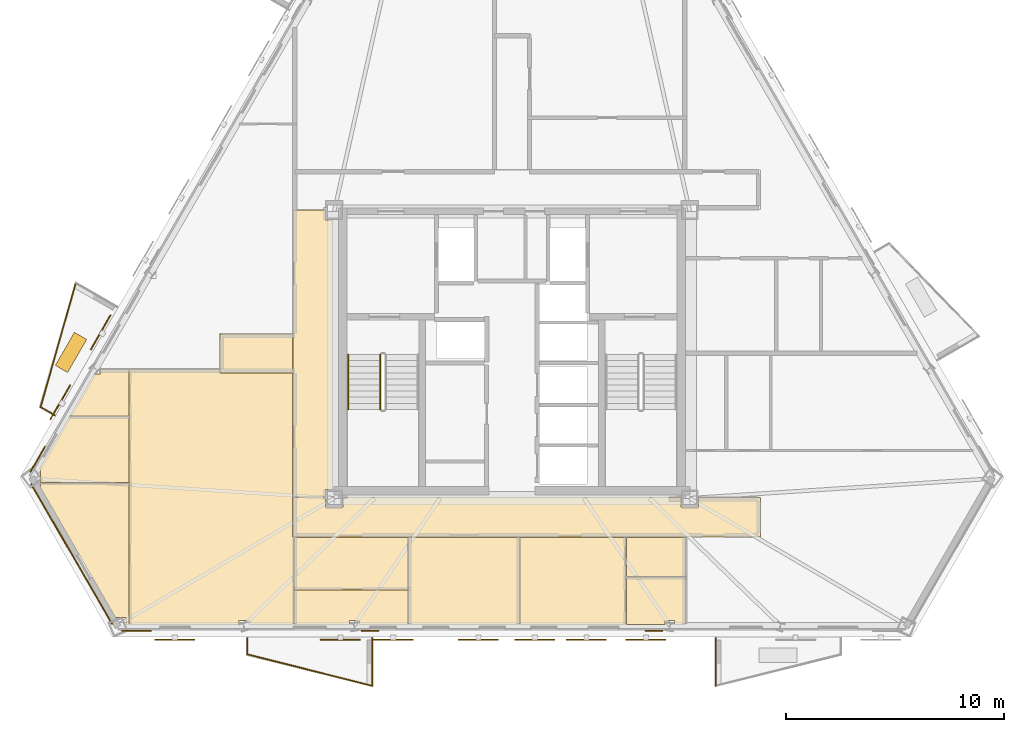
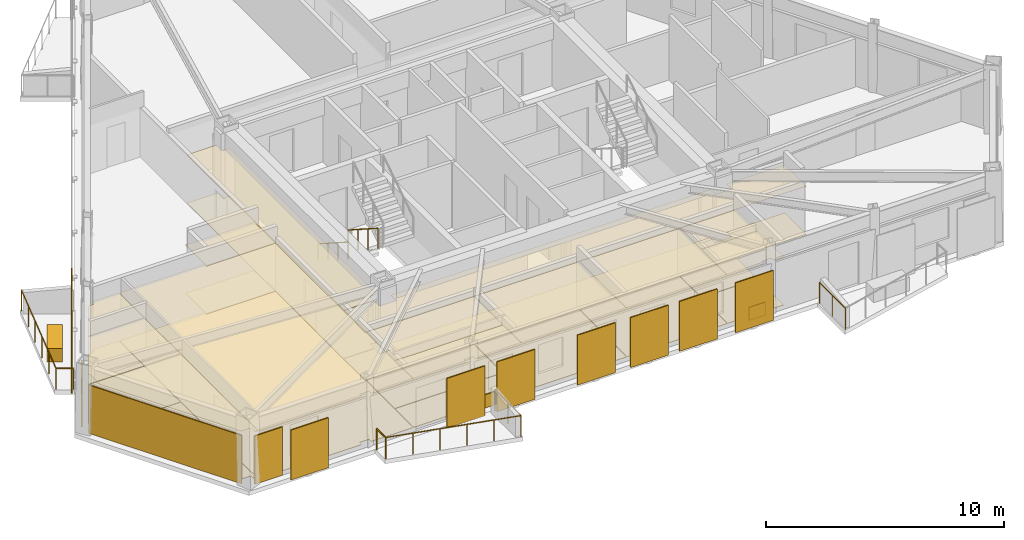
# One storey, part 7 of 9: 32 coverings, 9 shading devices, 8 railings.
"""IFC4 building model written with IfcOpenShell, lengths in metres."""

from ifc_helpers import new_model, si_unit, direction, frame, origin, origin_2d, place, context, subcontext, project, spatial, polyline, rectangle, circle, outline, extrude, material, layer, layer_set, type_object, element, save


model = new_model("IFC4")

# Units and contexts
model_context = context("Model", 3, precision=1e-05, world=origin(), true_north=direction((0.0, 1.0)))
body_context = subcontext(model_context, "Body", "Model", "MODEL_VIEW")
ifc_project = project(units=[si_unit("LENGTHUNIT", "METRE"), si_unit("AREAUNIT", "SQUARE_METRE"), si_unit("VOLUMEUNIT", "CUBIC_METRE"), si_unit("PLANEANGLEUNIT", "RADIAN"), si_unit("MASSUNIT", "GRAM", prefix="KILO")], contexts=[model_context])

# Site, building, storey
site_placement = place(None, origin())
site = spatial("IfcSite", under=ifc_project, at=site_placement, CompositionType="ELEMENT")
building_placement = place(site_placement, origin())
building = spatial("IfcBuilding", under=site, at=building_placement, Name="Oramaril Tower", CompositionType="ELEMENT")
storey_placement = place(building_placement, frame((0.0, 0.0, 185.39990234375)))
storey = spatial("IfcBuildingStorey", under=building, at=storey_placement, Name="L49", CompositionType="ELEMENT", Elevation=185.39990234375)

# Coverings
ifc_material_1 = material(Name="Mineral Fibre Acoustic Ceiling")
ifc_layer_1 = layer(ifc_material_1, 0.02001953125)
ifc_layer_set_1 = layer_set([ifc_layer_1], Name="CVT-CEIL")
covering_type_1 = type_object("IfcCoveringType", Name="CVT-CEIL", PredefinedType="CEILING", material=ifc_layer_set_1)
covering_1_placement = place(storey_placement, frame((0.0, 0.0, 2.47216796875)))
element("IfcCovering", 1, at=covering_1_placement, inside=storey, type_object=covering_type_1, Name="L49 Acoustic Suspended Ceiling 1", PredefinedType="CEILING", context=body_context, shape_type="SweptSolid", body=[
    extrude(outline(polyline([(28.955078125, 10.60498046875), (29.7451171875, 10.60498046875), (29.7451171875, 11.030029296875), (45.2548828125, 11.030029296875), (45.2548828125, 10.60498046875), (46.044921875, 10.60498046875), (46.044921875, 11.030029296875), (48.8798828125, 11.030029296875), (48.8798828125, 9.219970703125), (27.469970703125, 9.219970703125), (27.469970703125, 11.030029296875), (28.955078125, 11.030029296875), (28.955078125, 10.60498046875)])), origin(), (0.0, 0.0, 1.0), 0.02001953125),
])
covering_2_placement = place(storey_placement, frame((0.0, 0.0, 2.47216796875)))
element("IfcCovering", 2, at=covering_2_placement, inside=storey, type_object=covering_type_1, Name="L49 Acoustic Suspended Ceiling 3", PredefinedType="CEILING", context=body_context, shape_type="SweptSolid", body=[
    extrude(outline(polyline([(28.955078125, 23.7548828125), (29.280029296875, 23.7548828125), (29.280029296875, 11.39501953125), (28.955078125, 11.39501953125), (28.955078125, 11.050048828125), (27.469970703125, 11.050048828125), (27.469970703125, 24.219970703125), (28.955078125, 24.219970703125), (28.955078125, 23.7548828125)])), origin(), (0.0, 0.0, 1.0), 0.02001953125),
])
covering_3_placement = place(storey_placement, frame((0.0, 0.0, 2.47216796875)))
element("IfcCovering", 3, at=covering_3_placement, inside=storey, type_object=covering_type_1, Name="L49 Acoustic Suspended Ceiling 5", PredefinedType="CEILING", context=body_context, shape_type="SweptSolid", body=[
    extrude(outline(polyline([(24.1201171875, 16.77001953125), (24.1201171875, 18.530029296875), (27.449951171875, 18.530029296875), (27.449951171875, 16.77001953125), (24.1201171875, 16.77001953125)])), origin(), (0.0, 0.0, 1.0), 0.02001953125),
])
covering_4_placement = place(storey_placement, frame((0.0, 0.0, 2.47216796875)))
element("IfcCovering", 4, at=covering_4_placement, inside=storey, type_object=covering_type_1, Name="L49 Acoustic Suspended Ceiling 6", PredefinedType="CEILING", context=body_context, shape_type="SweptSolid", body=[
    extrude(outline(polyline([(37.842041015625, 5.20849609375), (32.758056640625, 5.20849609375), (32.758056640625, 9.199951171875), (37.842041015625, 9.199951171875), (37.842041015625, 5.20849609375)])), origin(), (0.0, 0.0, 1.0), 0.02001953125),
])
covering_5_placement = place(storey_placement, frame((0.0, 0.0, 2.47216796875)))
element("IfcCovering", 5, at=covering_5_placement, inside=storey, type_object=covering_type_1, Name="L49 Acoustic Suspended Ceiling 7", PredefinedType="CEILING", context=body_context, shape_type="SweptSolid", body=[
    extrude(outline(polyline([(27.508056640625, 6.80419921875), (27.508056640625, 9.199951171875), (32.738037109375, 9.199951171875), (32.738037109375, 6.80419921875), (27.508056640625, 6.80419921875)])), origin(), (0.0, 0.0, 1.0), 0.02001953125),
])
covering_6_placement = place(storey_placement, frame((0.0, 0.0, 2.47216796875)))
element("IfcCovering", 6, at=covering_6_placement, inside=storey, type_object=covering_type_1, Name="L49 Acoustic Suspended Ceiling 8", PredefinedType="CEILING", context=body_context, shape_type="SweptSolid", body=[
    extrude(outline(polyline([(30.49658203125, 5.20849609375), (30.49658203125, 5.390869140625), (30.04541015625, 5.390869140625), (30.04541015625, 5.20849609375), (27.508056640625, 5.20849609375), (27.508056640625, 6.7841796875), (32.738037109375, 6.7841796875), (32.738037109375, 5.20849609375), (30.49658203125, 5.20849609375)])), origin(), (0.0, 0.0, 1.0), 0.02001953125),
])
covering_7_placement = place(storey_placement, frame((0.0, 0.0, 2.47216796875)))
element("IfcCovering", 7, at=covering_7_placement, inside=storey, type_object=covering_type_1, Name="L49 Acoustic Suspended Ceiling 9", PredefinedType="CEILING", context=body_context, shape_type="SweptSolid", body=[
    extrude(outline(polyline([(42.71875, 5.20849609375), (37.862060546875, 5.20849609375), (37.862060546875, 9.199951171875), (42.71875, 9.199951171875), (42.71875, 5.20849609375)])), origin(), (0.0, 0.0, 1.0), 0.02001953125),
])
covering_8_placement = place(storey_placement, frame((0.0, 0.0, 2.47216796875)))
element("IfcCovering", 8, at=covering_8_placement, inside=storey, type_object=covering_type_1, Name="L49 Acoustic Suspended Ceiling 10", PredefinedType="CEILING", context=body_context, shape_type="SweptSolid", body=[
    extrude(outline(polyline([(44.95458984375, 5.390869140625), (44.50341796875, 5.390869140625), (44.50341796875, 5.20849609375), (42.73876953125, 5.20849609375), (42.73876953125, 7.3994140625), (45.4619140625, 7.3994140625), (45.4619140625, 5.20849609375), (44.95458984375, 5.20849609375), (44.95458984375, 5.390869140625)])), origin(), (0.0, 0.0, 1.0), 0.02001953125),
])
covering_9_placement = place(storey_placement, frame((0.0, 0.0, 2.47216796875)))
element("IfcCovering", 9, at=covering_9_placement, inside=storey, type_object=covering_type_1, Name="L49 Acoustic Suspended Ceiling 11", PredefinedType="CEILING", context=body_context, shape_type="SweptSolid", body=[
    extrude(outline(polyline([(45.4619140625, 7.41943359375), (42.73876953125, 7.41943359375), (42.73876953125, 9.199951171875), (45.4619140625, 9.199951171875), (45.4619140625, 7.41943359375)])), origin(), (0.0, 0.0, 1.0), 0.02001953125),
])
covering_10_placement = place(storey_placement, frame((0.0, 0.0, 2.47216796875)))
element("IfcCovering", 10, at=covering_10_placement, inside=storey, type_object=covering_type_1, Name="L49 Acoustic Suspended Ceiling 12", PredefinedType="CEILING", context=body_context, shape_type="SweptSolid", body=[
    extrude(outline(polyline([(25.4404296875, 5.390869140625), (24.98095703125, 5.390869140625), (24.98095703125, 5.20849609375), (19.96240234375, 5.20849609375), (19.96240234375, 16.89208984375), (24.10009765625, 16.89208984375), (24.10009765625, 16.77001953125), (24.10009765625, 16.76806640625), (24.100341796875, 16.76611328125), (24.100830078125, 16.76416015625), (24.1015625, 16.76220703125), (24.102294921875, 16.760498046875), (24.103515625, 16.7587890625), (24.1044921875, 16.75732421875), (24.10595703125, 16.755859375), (24.107421875, 16.75439453125), (24.10888671875, 16.75341796875), (24.110595703125, 16.75244140625), (24.1123046875, 16.75146484375), (24.1142578125, 16.7509765625), (24.1162109375, 16.75048828125), (24.117919921875, 16.75), (24.1201171875, 16.75), (27.449951171875, 16.75), (27.449951171875, 11.050048828125), (27.4501953125, 11.048095703125), (27.450439453125, 11.046142578125), (27.450927734375, 11.044189453125), (27.451416015625, 11.042236328125), (27.452392578125, 11.04052734375), (27.45263671875, 11.0400390625), (27.452392578125, 11.039306640625), (27.451416015625, 11.03759765625), (27.450927734375, 11.035888671875), (27.450439453125, 11.033935546875), (27.4501953125, 11.031982421875), (27.449951171875, 11.030029296875), (27.449951171875, 9.219970703125), (27.4501953125, 9.218017578125), (27.450439453125, 9.216064453125), (27.450927734375, 9.214111328125), (27.451416015625, 9.21240234375), (27.452392578125, 9.210693359375), (27.453369140625, 9.208984375), (27.45458984375, 9.207275390625), (27.455810546875, 9.205810546875), (27.457275390625, 9.20458984375), (27.458984375, 9.203369140625), (27.460693359375, 9.202392578125), (27.46240234375, 9.201416015625), (27.464111328125, 9.200927734375), (27.466064453125, 9.200439453125), (27.468017578125, 9.2001953125), (27.469970703125, 9.199951171875), (27.488037109375, 9.199951171875), (27.488037109375, 6.80419921875), (27.488037109375, 6.80224609375), (27.48828125, 6.80029296875), (27.489013671875, 6.798583984375), (27.489501953125, 6.796630859375), (27.490478515625, 6.794921875), (27.49072265625, 6.794189453125), (27.490478515625, 6.793701171875), (27.489501953125, 6.7919921875), (27.489013671875, 6.7900390625), (27.48828125, 6.7880859375), (27.488037109375, 6.786376953125), (27.488037109375, 6.7841796875), (27.488037109375, 5.20849609375), (25.4404296875, 5.20849609375), (25.4404296875, 5.390869140625)])), origin(), (0.0, 0.0, 1.0), 0.02001953125),
])
covering_11_placement = place(storey_placement, frame((0.0, 0.0, 2.47216796875)))
element("IfcCovering", 11, at=covering_11_placement, inside=storey, type_object=covering_type_1, Name="L49 Acoustic Suspended Ceiling 13", PredefinedType="CEILING", context=body_context, shape_type="SweptSolid", body=[
    extrude(outline(polyline([(19.812744140625, 5.20849609375), (19.812744140625, 5.54150390625), (19.312744140625, 5.54150390625), (15.85498046875, 11.530029296875), (15.897705078125, 11.530029296875), (15.897705078125, 11.70458984375), (19.9423828125, 11.70458984375), (19.9423828125, 5.20849609375), (19.812744140625, 5.20849609375)])), origin(), (0.0, 0.0, 1.0), 0.02001953125),
])
covering_12_placement = place(storey_placement, frame((0.0, 0.0, 2.47216796875)))
element("IfcCovering", 12, at=covering_12_placement, inside=storey, type_object=covering_type_1, Name="L49 Acoustic Suspended Ceiling 14", PredefinedType="CEILING", context=body_context, shape_type="SweptSolid", body=[
    extrude(outline(polyline([(19.9423828125, 14.754638671875), (19.9423828125, 11.724609375), (15.897705078125, 11.724609375), (15.897705078125, 12.33154296875), (15.819580078125, 12.33154296875), (17.218505859375, 14.754638671875), (19.9423828125, 14.754638671875)])), origin(), (0.0, 0.0, 1.0), 0.02001953125),
])
covering_13_placement = place(storey_placement, frame((0.0, 0.0, 2.47216796875)))
element("IfcCovering", 13, at=covering_13_placement, inside=storey, type_object=covering_type_1, Name="L49 Acoustic Suspended Ceiling 15", PredefinedType="CEILING", context=body_context, shape_type="SweptSolid", body=[
    extrude(outline(polyline([(18.337890625, 16.693115234375), (18.64111328125, 16.693115234375), (18.64111328125, 16.89208984375), (19.9423828125, 16.89208984375), (19.9423828125, 14.774658203125), (17.230224609375, 14.774658203125), (18.337890625, 16.693115234375)])), origin(), (0.0, 0.0, 1.0), 0.02001953125),
])
ifc_material_2 = material(Name="Warm Cream Limestone", Category="masonry")
ifc_layer_2 = layer(ifc_material_2, 0.050048828125)
ifc_layer_set_2 = layer_set([ifc_layer_2], Name="CVT-CLD")
covering_type_2 = type_object("IfcCoveringType", Name="CVT-CLD", PredefinedType="CLADDING", material=ifc_layer_set_2)
covering_14_placement = place(storey_placement, frame((17.31640625, 8.447021484375, 0.0400390625), z_axis=(0.0, 0.0, 1.0), x_axis=(0.500007557478, -0.866021040428, 0.0)))
element("IfcCovering", 14, at=covering_14_placement, inside=storey, type_object=covering_type_2, Name="L49 Warm Cream Limestone Cladding", PredefinedType="CLADDING", context=body_context, shape_type="SweptSolid", body=[
    extrude(rectangle(XDim=7.422607421875, YDim=0.050048828125, at=origin_2d()), origin(), (0.0, 0.0, 1.0), 2.47998046875),
])
covering_15_placement = place(storey_placement, frame((20.292724609375, 4.932373046875, 0.0400390625), z_axis=(0.0, 0.0, 1.0), x_axis=(1.0, 0.0, 0.0)))
element("IfcCovering", 15, at=covering_15_placement, inside=storey, type_object=covering_type_2, Name="L49 Warm Cream Limestone Cladding", PredefinedType="CLADDING", context=body_context, shape_type="SweptSolid", body=[
    extrude(rectangle(XDim=1.35009765625, YDim=0.050048828125, at=origin_2d()), origin(), (0.0, 0.0, 1.0), 2.47998046875),
])
for number, where, z_axis, x_axis, name in (
    (16, (30.99951171875, 4.932373046875, 0.0400390625), (0.0, 0.0, 1.0), (1.0, 0.0, 0.0), "L49 Warm Cream Limestone Spandrel Cladding"),
    (17, (44.00048828125, 4.932373046875, 0.0400390625), (0.0, 0.0, 1.0), (1.0, 0.0, 0.0), "L49 Warm Cream Limestone Spandrel Cladding"),
):
    element("IfcCovering", number, at=place(storey_placement, frame(where, z_axis=z_axis, x_axis=x_axis)), inside=storey, type_object=covering_type_2, Name=name, PredefinedType="CLADDING", context=body_context, shape_type="SweptSolid", body=[
        extrude(rectangle(XDim=0.800048828125, YDim=0.050048828125, at=origin_2d()), origin(), (0.0, 0.0, 1.0), 0.679931640625),
    ])
covering_16_placement = place(storey_placement, frame((15.7607421875, 12.78173828125, 0.0400390625), z_axis=(0.0, 0.0, 1.0), x_axis=(-0.5, -0.866025403784, 0.0)))
element("IfcCovering", 18, at=covering_16_placement, inside=storey, type_object=covering_type_2, Name="L49 Warm Cream Limestone Cladding", PredefinedType="CLADDING", context=body_context, shape_type="SweptSolid", body=[
    extrude(rectangle(XDim=1.35009765625, YDim=0.050048828125, at=origin_2d()), origin(), (0.0, 0.0, 1.0), 2.47998046875),
])
covering_17_placement = place(storey_placement, frame((17.2880859375, 17.684326171875, 0.0), z_axis=(0.0, 0.0, 1.0), x_axis=(-0.500001511499, -0.866024531118, 0.0)))
element("IfcCovering", 19, at=covering_17_placement, inside=storey, type_object=covering_type_2, Name="L49 Structural Tree Planter Box L49-BAL-NW2", PredefinedType="CLADDING", context=body_context, shape_type="SweptSolid", body=[
    extrude(rectangle(XDim=1.75, YDim=0.64990234375, at=origin_2d()), origin(), (0.0, 0.0, 1.0), 0.699951171875),
])
ifc_material_3 = material(Name="Honed Quartzite Stone Flooring", Category="masonry")
ifc_layer_3 = layer(ifc_material_3, 0.02490234375)
ifc_layer_set_3 = layer_set([ifc_layer_3], Name="CVT-FLR")
covering_type_3 = type_object("IfcCoveringType", Name="CVT-FLR", PredefinedType="FLOORING", material=ifc_layer_set_3)
covering_18_placement = place(storey_placement, origin())
element("IfcCovering", 20, at=covering_18_placement, inside=storey, type_object=covering_type_3, Name="L49 Honed Stone Floor Finish 1", PredefinedType="FLOORING", context=body_context, shape_type="SweptSolid", body=[
    extrude(outline(polyline([(28.955078125, 10.60498046875), (29.7451171875, 10.60498046875), (29.7451171875, 11.030029296875), (45.2548828125, 11.030029296875), (45.2548828125, 10.60498046875), (46.044921875, 10.60498046875), (46.044921875, 11.030029296875), (48.8798828125, 11.030029296875), (48.8798828125, 9.219970703125), (27.469970703125, 9.219970703125), (27.469970703125, 11.030029296875), (28.955078125, 11.030029296875), (28.955078125, 10.60498046875)])), origin(), (0.0, 0.0, 1.0), 0.025146484375),
])
covering_19_placement = place(storey_placement, origin())
element("IfcCovering", 21, at=covering_19_placement, inside=storey, type_object=covering_type_3, Name="L49 Honed Stone Floor Finish 3", PredefinedType="FLOORING", context=body_context, shape_type="SweptSolid", body=[
    extrude(outline(polyline([(28.955078125, 23.7548828125), (29.280029296875, 23.7548828125), (29.280029296875, 11.39501953125), (28.955078125, 11.39501953125), (28.955078125, 11.050048828125), (27.469970703125, 11.050048828125), (27.469970703125, 24.219970703125), (28.955078125, 24.219970703125), (28.955078125, 23.7548828125)])), origin(), (0.0, 0.0, 1.0), 0.025146484375),
])
covering_20_placement = place(storey_placement, origin())
element("IfcCovering", 22, at=covering_20_placement, inside=storey, type_object=covering_type_3, Name="L49 Honed Stone Floor Finish 5", PredefinedType="FLOORING", context=body_context, shape_type="SweptSolid", body=[
    extrude(outline(polyline([(24.1201171875, 16.77001953125), (24.1201171875, 18.530029296875), (27.449951171875, 18.530029296875), (27.449951171875, 16.77001953125), (24.1201171875, 16.77001953125)])), origin(), (0.0, 0.0, 1.0), 0.025146484375),
])
covering_21_placement = place(storey_placement, origin())
element("IfcCovering", 23, at=covering_21_placement, inside=storey, type_object=covering_type_3, Name="L49 Honed Stone Floor Finish 6", PredefinedType="FLOORING", context=body_context, shape_type="SweptSolid", body=[
    extrude(outline(polyline([(37.842041015625, 5.20849609375), (32.758056640625, 5.20849609375), (32.758056640625, 9.199951171875), (37.842041015625, 9.199951171875), (37.842041015625, 5.20849609375)])), origin(), (0.0, 0.0, 1.0), 0.025146484375),
])
covering_22_placement = place(storey_placement, origin())
element("IfcCovering", 24, at=covering_22_placement, inside=storey, type_object=covering_type_3, Name="L49 Honed Stone Floor Finish 7", PredefinedType="FLOORING", context=body_context, shape_type="SweptSolid", body=[
    extrude(outline(polyline([(27.508056640625, 6.80419921875), (27.508056640625, 9.199951171875), (32.738037109375, 9.199951171875), (32.738037109375, 6.80419921875), (27.508056640625, 6.80419921875)])), origin(), (0.0, 0.0, 1.0), 0.025146484375),
])
covering_23_placement = place(storey_placement, origin())
element("IfcCovering", 25, at=covering_23_placement, inside=storey, type_object=covering_type_3, Name="L49 Honed Stone Floor Finish 8", PredefinedType="FLOORING", context=body_context, shape_type="SweptSolid", body=[
    extrude(outline(polyline([(30.49658203125, 5.20849609375), (30.49658203125, 5.390869140625), (30.04541015625, 5.390869140625), (30.04541015625, 5.20849609375), (27.508056640625, 5.20849609375), (27.508056640625, 6.7841796875), (32.738037109375, 6.7841796875), (32.738037109375, 5.20849609375), (30.49658203125, 5.20849609375)])), origin(), (0.0, 0.0, 1.0), 0.025146484375),
])
covering_24_placement = place(storey_placement, origin())
element("IfcCovering", 26, at=covering_24_placement, inside=storey, type_object=covering_type_3, Name="L49 Honed Stone Floor Finish 9", PredefinedType="FLOORING", context=body_context, shape_type="SweptSolid", body=[
    extrude(outline(polyline([(42.71875, 5.20849609375), (37.862060546875, 5.20849609375), (37.862060546875, 9.199951171875), (42.71875, 9.199951171875), (42.71875, 5.20849609375)])), origin(), (0.0, 0.0, 1.0), 0.025146484375),
])
covering_25_placement = place(storey_placement, origin())
element("IfcCovering", 27, at=covering_25_placement, inside=storey, type_object=covering_type_3, Name="L49 Honed Stone Floor Finish 10", PredefinedType="FLOORING", context=body_context, shape_type="SweptSolid", body=[
    extrude(outline(polyline([(44.95458984375, 5.390869140625), (44.50341796875, 5.390869140625), (44.50341796875, 5.20849609375), (42.73876953125, 5.20849609375), (42.73876953125, 7.3994140625), (45.4619140625, 7.3994140625), (45.4619140625, 5.20849609375), (44.95458984375, 5.20849609375), (44.95458984375, 5.390869140625)])), origin(), (0.0, 0.0, 1.0), 0.025146484375),
])
covering_26_placement = place(storey_placement, origin())
element("IfcCovering", 28, at=covering_26_placement, inside=storey, type_object=covering_type_3, Name="L49 Honed Stone Floor Finish 11", PredefinedType="FLOORING", context=body_context, shape_type="SweptSolid", body=[
    extrude(outline(polyline([(45.4619140625, 7.41943359375), (42.73876953125, 7.41943359375), (42.73876953125, 9.199951171875), (45.4619140625, 9.199951171875), (45.4619140625, 7.41943359375)])), origin(), (0.0, 0.0, 1.0), 0.025146484375),
])
covering_27_placement = place(storey_placement, origin())
element("IfcCovering", 29, at=covering_27_placement, inside=storey, type_object=covering_type_3, Name="L49 Honed Stone Floor Finish 12", PredefinedType="FLOORING", context=body_context, shape_type="SweptSolid", body=[
    extrude(outline(polyline([(25.4404296875, 5.390869140625), (24.98095703125, 5.390869140625), (24.98095703125, 5.20849609375), (19.96240234375, 5.20849609375), (19.96240234375, 16.89208984375), (24.10009765625, 16.89208984375), (24.10009765625, 16.77001953125), (24.10009765625, 16.76806640625), (24.100341796875, 16.76611328125), (24.100830078125, 16.76416015625), (24.1015625, 16.76220703125), (24.102294921875, 16.760498046875), (24.103515625, 16.7587890625), (24.1044921875, 16.75732421875), (24.10595703125, 16.755859375), (24.107421875, 16.75439453125), (24.10888671875, 16.75341796875), (24.110595703125, 16.75244140625), (24.1123046875, 16.75146484375), (24.1142578125, 16.7509765625), (24.1162109375, 16.75048828125), (24.117919921875, 16.75), (24.1201171875, 16.75), (27.449951171875, 16.75), (27.449951171875, 11.050048828125), (27.4501953125, 11.048095703125), (27.450439453125, 11.046142578125), (27.450927734375, 11.044189453125), (27.451416015625, 11.042236328125), (27.452392578125, 11.04052734375), (27.45263671875, 11.0400390625), (27.452392578125, 11.039306640625), (27.451416015625, 11.03759765625), (27.450927734375, 11.035888671875), (27.450439453125, 11.033935546875), (27.4501953125, 11.031982421875), (27.449951171875, 11.030029296875), (27.449951171875, 9.219970703125), (27.4501953125, 9.218017578125), (27.450439453125, 9.216064453125), (27.450927734375, 9.214111328125), (27.451416015625, 9.21240234375), (27.452392578125, 9.210693359375), (27.453369140625, 9.208984375), (27.45458984375, 9.207275390625), (27.455810546875, 9.205810546875), (27.457275390625, 9.20458984375), (27.458984375, 9.203369140625), (27.460693359375, 9.202392578125), (27.46240234375, 9.201416015625), (27.464111328125, 9.200927734375), (27.466064453125, 9.200439453125), (27.468017578125, 9.2001953125), (27.469970703125, 9.199951171875), (27.488037109375, 9.199951171875), (27.488037109375, 6.80419921875), (27.488037109375, 6.80224609375), (27.48828125, 6.80029296875), (27.489013671875, 6.798583984375), (27.489501953125, 6.796630859375), (27.490478515625, 6.794921875), (27.49072265625, 6.794189453125), (27.490478515625, 6.793701171875), (27.489501953125, 6.7919921875), (27.489013671875, 6.7900390625), (27.48828125, 6.7880859375), (27.488037109375, 6.786376953125), (27.488037109375, 6.7841796875), (27.488037109375, 5.20849609375), (25.4404296875, 5.20849609375), (25.4404296875, 5.390869140625)])), origin(), (0.0, 0.0, 1.0), 0.025146484375),
])
covering_28_placement = place(storey_placement, origin())
element("IfcCovering", 30, at=covering_28_placement, inside=storey, type_object=covering_type_3, Name="L49 Honed Stone Floor Finish 13", PredefinedType="FLOORING", context=body_context, shape_type="SweptSolid", body=[
    extrude(outline(polyline([(19.812744140625, 5.20849609375), (19.812744140625, 5.54150390625), (19.312744140625, 5.54150390625), (15.85498046875, 11.530029296875), (15.897705078125, 11.530029296875), (15.897705078125, 11.70458984375), (19.9423828125, 11.70458984375), (19.9423828125, 5.20849609375), (19.812744140625, 5.20849609375)])), origin(), (0.0, 0.0, 1.0), 0.025146484375),
])
covering_29_placement = place(storey_placement, origin())
element("IfcCovering", 31, at=covering_29_placement, inside=storey, type_object=covering_type_3, Name="L49 Honed Stone Floor Finish 14", PredefinedType="FLOORING", context=body_context, shape_type="SweptSolid", body=[
    extrude(outline(polyline([(19.9423828125, 14.754638671875), (19.9423828125, 11.724609375), (15.897705078125, 11.724609375), (15.897705078125, 12.33154296875), (15.819580078125, 12.33154296875), (17.218505859375, 14.754638671875), (19.9423828125, 14.754638671875)])), origin(), (0.0, 0.0, 1.0), 0.025146484375),
])
covering_30_placement = place(storey_placement, origin())
element("IfcCovering", 32, at=covering_30_placement, inside=storey, type_object=covering_type_3, Name="L49 Honed Stone Floor Finish 15", PredefinedType="FLOORING", context=body_context, shape_type="SweptSolid", body=[
    extrude(outline(polyline([(18.337890625, 16.693115234375), (18.64111328125, 16.693115234375), (18.64111328125, 16.89208984375), (19.9423828125, 16.89208984375), (19.9423828125, 14.774658203125), (17.230224609375, 14.774658203125), (18.337890625, 16.693115234375)])), origin(), (0.0, 0.0, 1.0), 0.025146484375),
])

# Railings
ifc_material_4 = material(Name="Stainless Steel 316L", Category="steel")
railing_type_1 = type_object("IfcRailingType", Name="RLT-GRD", PredefinedType="GUARDRAIL", material=ifc_material_4)
railing_1_placement = place(storey_placement, frame((31.092041015625, 4.59228515625, 0.0)))
element("IfcRailing", 33, at=railing_1_placement, inside=storey, type_object=railing_type_1, Name="L49 Balcony Guardrail L49-BAL-S1.1", PredefinedType="GUARDRAIL", context=body_context, shape_type="SweptSolid", body=[
    extrude(circle(Radius=0.02392578125, at=origin_2d()), frame((0.0, 0.0, 1.076171875), z_axis=(0.0, -1.0, 0.0), x_axis=(1.0, 0.0, 0.0)), (0.0, 0.0, 1.0), 2.19189453125),
    extrude(circle(Radius=0.02099609375, at=origin_2d()), origin(), (0.0, 0.0, 1.0), 1.052001953125),
    extrude(circle(Radius=0.02099609375, at=origin_2d()), frame((0.0, -1.095947265625, 0.0)), (0.0, 0.0, 1.0), 1.052001953125),
    extrude(circle(Radius=0.02099609375, at=origin_2d()), frame((0.0, -2.19189453125, 0.0)), (0.0, 0.0, 1.0), 1.052001953125),
])
railing_2_placement = place(storey_placement, frame((31.092041015625, 2.400390625, 0.0)))
element("IfcRailing", 34, at=railing_2_placement, inside=storey, type_object=railing_type_1, Name="L49 Balcony Guardrail L49-BAL-S1.2", PredefinedType="GUARDRAIL", context=body_context, shape_type="SweptSolid", body=[
    extrude(circle(Radius=0.02392578125, at=origin_2d()), frame((0.0, 0.0, 1.076171875), z_axis=(-0.969443611257, 0.245314256807, 0.0), x_axis=(-0.245314256807, -0.969443611257, 0.0)), (0.0, 0.0, 1.0), 5.91064453125),
    extrude(circle(Radius=0.02099609375, at=origin_2d()), origin(), (0.0, 0.0, 1.0), 1.052001953125),
    extrude(circle(Radius=0.02099609375, at=origin_2d()), frame((-1.14599609375, 0.2900390625, 0.0)), (0.0, 0.0, 1.0), 1.052001953125),
    extrude(circle(Radius=0.02099609375, at=origin_2d()), frame((-2.2919921875, 0.580078125, 0.0)), (0.0, 0.0, 1.0), 1.052001953125),
    extrude(circle(Radius=0.02099609375, at=origin_2d()), frame((-3.43798828125, 0.869873046875, 0.0)), (0.0, 0.0, 1.0), 1.052001953125),
    extrude(circle(Radius=0.02099609375, at=origin_2d()), frame((-4.583984375, 1.159912109375, 0.0)), (0.0, 0.0, 1.0), 1.052001953125),
    extrude(circle(Radius=0.02099609375, at=origin_2d()), frame((-5.72998046875, 1.449951171875, 0.0)), (0.0, 0.0, 1.0), 1.052001953125),
])
railing_3_placement = place(storey_placement, frame((25.362060546875, 3.850341796875, 0.0)))
element("IfcRailing", 35, at=railing_3_placement, inside=storey, type_object=railing_type_1, Name="L49 Balcony Guardrail L49-BAL-S1.3", PredefinedType="GUARDRAIL", context=body_context, shape_type="SweptSolid", body=[
    extrude(circle(Radius=0.02392578125, at=origin_2d()), frame((0.0, 0.0, 1.076171875), z_axis=(0.0, 1.0, 0.0), x_axis=(-1.0, 0.0, 0.0)), (0.0, 0.0, 1.0), 0.741943359375),
    extrude(circle(Radius=0.02099609375, at=origin_2d()), origin(), (0.0, 0.0, 1.0), 1.052001953125),
    extrude(circle(Radius=0.02099609375, at=origin_2d()), frame((0.0, 0.741943359375, 0.0)), (0.0, 0.0, 1.0), 1.052001953125),
])
railing_4_placement = place(storey_placement, frame((46.8330078125, 2.400390625, 0.0)))
element("IfcRailing", 36, at=railing_4_placement, inside=storey, type_object=railing_type_1, Name="L49 Balcony Guardrail L49-BAL-S2.3", PredefinedType="GUARDRAIL", context=body_context, shape_type="SweptSolid", body=[
    extrude(circle(Radius=0.02392578125, at=origin_2d()), frame((0.0, 0.0, 1.076171875), z_axis=(0.0, 1.0, 0.0), x_axis=(-1.0, 0.0, 0.0)), (0.0, 0.0, 1.0), 2.19189453125),
    extrude(circle(Radius=0.02099609375, at=origin_2d()), origin(), (0.0, 0.0, 1.0), 1.052001953125),
    extrude(circle(Radius=0.02099609375, at=origin_2d()), frame((0.0, 1.095947265625, 0.0)), (0.0, 0.0, 1.0), 1.052001953125),
    extrude(circle(Radius=0.02099609375, at=origin_2d()), frame((0.0, 2.19189453125, 0.0)), (0.0, 0.0, 1.0), 1.052001953125),
])
railing_5_placement = place(storey_placement, frame((16.53857421875, 14.808837890625, 0.0)))
element("IfcRailing", 37, at=railing_5_placement, inside=storey, type_object=railing_type_1, Name="L49 Balcony Guardrail L49-BAL-NW2.1", PredefinedType="GUARDRAIL", context=body_context, shape_type="SweptSolid", body=[
    extrude(circle(Radius=0.02392578125, at=origin_2d()), frame((0.0, 0.0, 1.076171875), z_axis=(-0.865966403178, 0.500102178127, 0.0), x_axis=(-0.500102178127, -0.865966403178, 0.0)), (0.0, 0.0, 1.0), 0.741943359375),
    extrude(circle(Radius=0.02099609375, at=origin_2d()), origin(), (0.0, 0.0, 1.0), 1.052001953125),
    extrude(circle(Radius=0.02099609375, at=origin_2d()), frame((-0.642578125, 0.37109375, 0.0)), (0.0, 0.0, 1.0), 1.052001953125),
])
railing_6_placement = place(storey_placement, frame((15.89599609375, 15.179931640625, 0.0)))
element("IfcRailing", 38, at=railing_6_placement, inside=storey, type_object=railing_type_1, Name="L49 Balcony Guardrail L49-BAL-NW2.2", PredefinedType="GUARDRAIL", context=body_context, shape_type="SweptSolid", body=[
    extrude(circle(Radius=0.02392578125, at=origin_2d()), frame((0.0, 0.0, 1.076171875), z_axis=(0.27224886544, 0.962226873074, 0.0), x_axis=(-0.962226873074, 0.27224886544, 0.0)), (0.0, 0.0, 1.0), 5.910400390625),
    extrude(circle(Radius=0.02099609375, at=origin_2d()), origin(), (0.0, 0.0, 1.0), 1.052001953125),
    extrude(circle(Radius=0.02099609375, at=origin_2d()), frame((0.32177734375, 1.137451171875, 0.0)), (0.0, 0.0, 1.0), 1.052001953125),
    extrude(circle(Radius=0.02099609375, at=origin_2d()), frame((0.6435546875, 2.27490234375, 0.0)), (0.0, 0.0, 1.0), 1.052001953125),
    extrude(circle(Radius=0.02099609375, at=origin_2d()), frame((0.965576171875, 3.412353515625, 0.0)), (0.0, 0.0, 1.0), 1.052001953125),
    extrude(circle(Radius=0.02099609375, at=origin_2d()), frame((1.287353515625, 4.5498046875, 0.0)), (0.0, 0.0, 1.0), 1.052001953125),
    extrude(circle(Radius=0.02099609375, at=origin_2d()), frame((1.609130859375, 5.687255859375, 0.0)), (0.0, 0.0, 1.0), 1.052001953125),
])
railing_7_placement = place(storey_placement, frame((31.4599609375, 17.590087890625, 0.18017578125)))
element("IfcRailing", 39, at=railing_7_placement, inside=storey, type_object=railing_type_1, Name="L49 ST-1 stair guard 1", PredefinedType="GUARDRAIL", context=body_context, shape_type="SweptSolid", body=[
    extrude(circle(Radius=0.02392578125, at=origin_2d()), frame((0.0, 0.0, 1.076171875), z_axis=(0.0, -0.841199657755, 0.540724639528), x_axis=(1.0, 0.0, 0.0)), (0.0, 0.0, 1.0), 2.995849609375),
    extrude(circle(Radius=0.02099609375, at=origin_2d()), origin(), (0.0, 0.0, 1.0), 1.052001953125),
    extrude(circle(Radius=0.02099609375, at=origin_2d()), frame((0.0, -0.840087890625, 0.5400390625)), (0.0, 0.0, 1.0), 1.052001953125),
    extrude(circle(Radius=0.02099609375, at=origin_2d()), frame((0.0, -1.679931640625, 1.079833984375)), (0.0, 0.0, 1.0), 1.052001953125),
    extrude(circle(Radius=0.02099609375, at=origin_2d()), frame((0.0, -2.52001953125, 1.619873046875)), (0.0, 0.0, 1.0), 1.052001953125),
])
ifc_material_5 = material(Name="Stainless Steel 316L", Category="steel")
railing_type_2 = type_object("IfcRailingType", Name="RLT-HND", PredefinedType="HANDRAIL", material=ifc_material_5)
railing_8_placement = place(storey_placement, frame((30.0, 17.590087890625, 0.18017578125)))
element("IfcRailing", 40, at=railing_8_placement, inside=storey, type_object=railing_type_2, Name="L49 ST-1 stair handrail 1", PredefinedType="HANDRAIL", context=body_context, shape_type="SweptSolid", body=[
    extrude(circle(Radius=0.02392578125, at=origin_2d()), frame((0.0, 0.0, 0.8759765625), z_axis=(0.0, -0.841199657755, 0.540724639528), x_axis=(1.0, 0.0, 0.0)), (0.0, 0.0, 1.0), 2.995849609375),
    extrude(circle(Radius=0.02099609375, at=origin_2d()), origin(), (0.0, 0.0, 1.0), 0.851806640625),
    extrude(circle(Radius=0.02099609375, at=origin_2d()), frame((0.0, -0.840087890625, 0.5400390625)), (0.0, 0.0, 1.0), 0.851806640625),
    extrude(circle(Radius=0.02099609375, at=origin_2d()), frame((0.0, -1.679931640625, 1.079833984375)), (0.0, 0.0, 1.0), 0.851806640625),
    extrude(circle(Radius=0.02099609375, at=origin_2d()), frame((0.0, -2.52001953125, 1.619873046875)), (0.0, 0.0, 1.0), 0.851806640625),
])

# Shading devices
for number, where, z_axis, x_axis, name in (
    (41, (32.0595703125, 4.5205078125, -0.02001953125), (0.0, 0.0, 1.0), (1.0, 0.0, 0.0), "L49 Perforated Ceramic Solar Screen"),
    (42, (35.959716796875, 4.5205078125, -0.02001953125), (0.0, 0.0, 1.0), (1.0, 0.0, 0.0), "L49 Perforated Ceramic Solar Screen"),
    (43, (38.540283203125, 4.5205078125, -0.02001953125), (0.0, 0.0, 1.0), (1.0, 0.0, 0.0), "L49 Perforated Ceramic Solar Screen"),
    (44, (29.635009765625, 4.5205078125, -0.02001953125), (0.0, 0.0, 1.0), (1.0, 0.0, 0.0), "L49 Perforated Ceramic Solar Screen"),
    (45, (40.910400390625, 4.5205078125, -0.02001953125), (0.0, 0.0, 1.0), (1.0, 0.0, 0.0), "L49 Perforated Ceramic Solar Screen"),
    (46, (43.635986328125, 4.5205078125, -0.02001953125), (0.0, 0.0, 1.0), (1.0, 0.0, 0.0), "L49 Perforated Ceramic Solar Screen"),
    (47, (22.045166015625, 4.5205078125, -0.02001953125), (0.0, 0.0, 1.0), (1.0, 0.0, 0.0), "L49 Perforated Ceramic Solar Screen"),
    (48, (16.7958984375, 15.398681640625, -0.02001953125), (0.0, 0.0, 1.0), (-0.5, -0.866025403784, 0.0), "L49 Perforated Ceramic Solar Screen"),
    (49, (18.64404296875, 18.599609375, -0.02001953125), (0.0, 0.0, 1.0), (-0.5, -0.866025403784, 0.0), "L49 Perforated Ceramic Solar Screen"),
):
    element("IfcShadingDevice", number, at=place(storey_placement, frame(where, z_axis=z_axis, x_axis=x_axis)), inside=storey, Name=name, ObjectType="SCREEN", PredefinedType="USERDEFINED", context=body_context, shape_type="SweptSolid", body=[
        extrude(rectangle(XDim=1.8330078125, YDim=0.050048828125, at=origin_2d()), origin(), (0.0, 0.0, 1.0), 2.56005859375),
    ])

save(model, "model.ifc")
